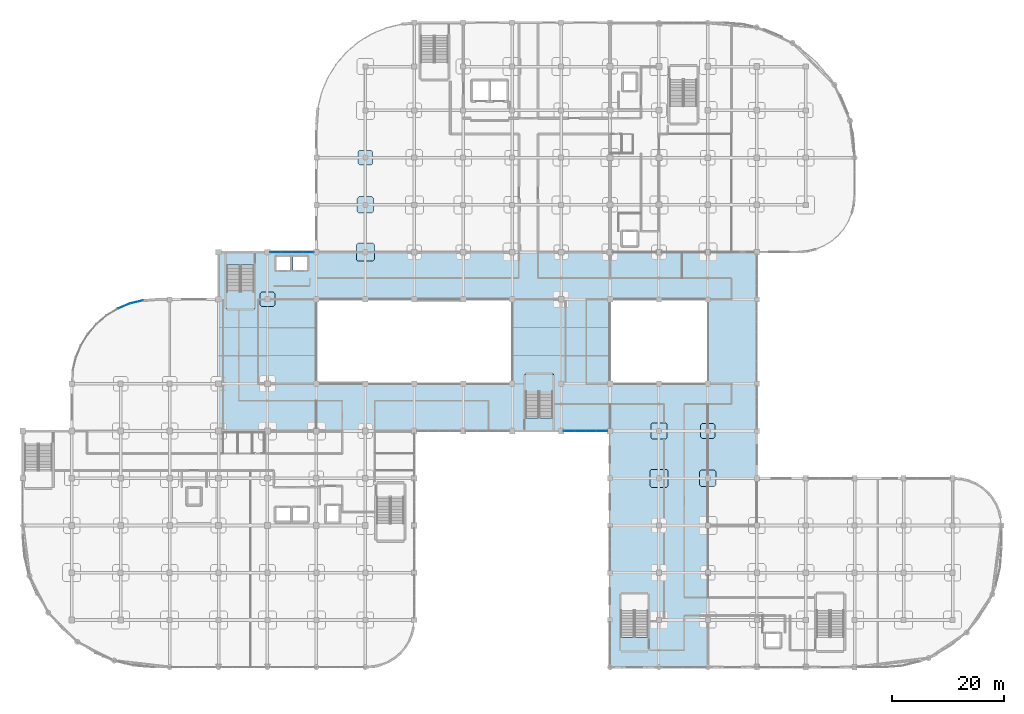
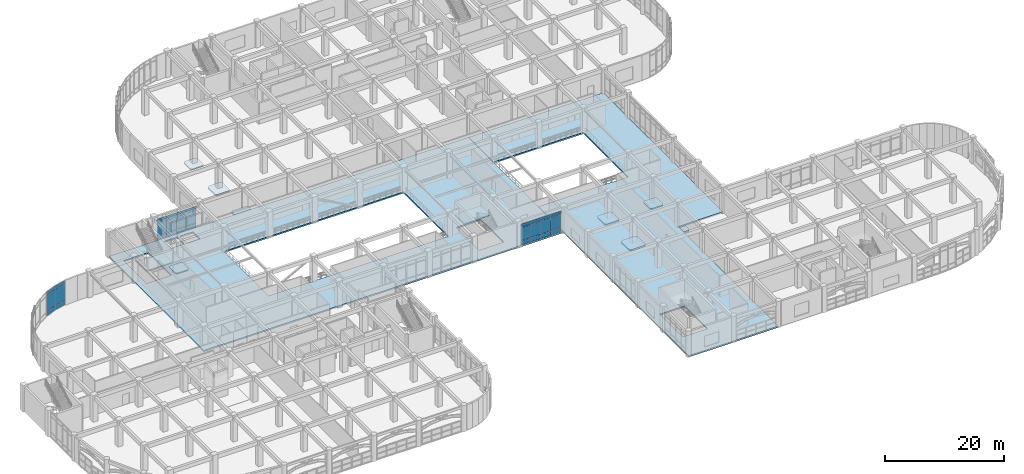
# One storey, part 84 of 114: 32 plates, 12 slabs, 6 elements without a shape of their own.
"""IFC4 building model written with IfcOpenShell, lengths in metres."""

from ifc_helpers import new_model, si_unit, derived_unit, direction, frame, origin, origin_2d, place, context, subcontext, project, spatial, polyline, rectangle, outline, extrude, material, layer, layer_set, type_object, element, aggregate, save


model = new_model("IFC4")

# Units and contexts
model_context = context("Model", 3, precision=1e-05, world=origin(), true_north=direction((0.0, 1.0)))
body_context = subcontext(model_context, "Body", "Model", "MODEL_VIEW")
ifc_project = project(units=[si_unit("LENGTHUNIT", "METRE"), si_unit("AREAUNIT", "SQUARE_METRE"), si_unit("VOLUMEUNIT", "CUBIC_METRE"), si_unit("PLANEANGLEUNIT", "RADIAN"), si_unit("MASSUNIT", "GRAM", prefix="KILO"), derived_unit("THERMALTRANSMITTANCEUNIT", [(si_unit("MASSUNIT", "GRAM", prefix="KILO"), 1), (si_unit("TIMEUNIT", "SECOND"), -3), (si_unit("THERMODYNAMICTEMPERATUREUNIT", "KELVIN"), -1)])], contexts=[model_context])

# Site, building, storey
site_placement = place(None, origin())
site = spatial("IfcSite", under=ifc_project, at=site_placement, CompositionType="ELEMENT")
building_placement = place(site_placement, origin())
building = spatial("IfcBuilding", under=site, at=building_placement, Name="Qinzheling Arcade Emporium", CompositionType="ELEMENT")
storey_placement = place(building_placement, frame((0.0, 0.0, 6.0)))
storey = spatial("IfcBuildingStorey", under=building, at=storey_placement, Name="L02", CompositionType="ELEMENT", Elevation=6.0)

# Slabs
ifc_material_1 = material(Name="Concrete C40", Category="concrete")
ifc_layer_1 = layer(ifc_material_1, 0.235107421875, Name="Concrete C40", Category="concrete")
ifc_layer_set_1 = layer_set([ifc_layer_1], Name="Concrete C40")
slab_type_1 = type_object("IfcSlabType", Name="Column Head Drop Panel 2600x2600x235 C40", PredefinedType="USERDEFINED", material=ifc_layer_set_1)
slab_1_placement = place(storey_placement, frame((0.0, 0.0, -0.514892578125)))
element("IfcSlab", 1, at=slab_1_placement, inside=storey, type_object=slab_type_1, Name="Column Drop Panel DP-L02-15-F", ObjectType="DROP_PANEL", PredefinedType="USERDEFINED", context=body_context, shape_type="SweptSolid", body=[
    extrude(outline(polyline([(120.780029296875, 40.699951171875), (122.820068359375, 40.699951171875), (123.10009765625, 40.97998046875), (123.10009765625, 43.02001953125), (122.820068359375, 43.300048828125), (120.780029296875, 43.300048828125), (120.5, 43.02001953125), (120.5, 40.97998046875), (120.780029296875, 40.699951171875)])), origin(), (0.0, 0.0, 1.0), 0.23486328125),
])
slab_2_placement = place(storey_placement, frame((0.0, 0.0, -0.514892578125)))
element("IfcSlab", 2, at=slab_2_placement, inside=storey, type_object=slab_type_1, Name="Column Drop Panel DP-L02-6-H", ObjectType="DROP_PANEL", PredefinedType="USERDEFINED", context=body_context, shape_type="SweptSolid", body=[
    extrude(outline(polyline([(42.47998046875, 64.10009765625), (44.52001953125, 64.10009765625), (44.800048828125, 64.3798828125), (44.800048828125, 66.419921875), (44.52001953125, 66.699951171875), (42.47998046875, 66.699951171875), (42.199951171875, 66.419921875), (42.199951171875, 64.3798828125), (42.47998046875, 64.10009765625)])), origin(), (0.0, 0.0, 1.0), 0.23486328125),
])
slab_3_placement = place(storey_placement, frame((0.0, 0.0, -0.544921875)))
element("IfcSlab", 3, at=slab_3_placement, inside=storey, type_object=slab_type_1, Name="Column Drop Panel DP-L02-8-L", ObjectType="DROP_PANEL", PredefinedType="USERDEFINED", context=body_context, shape_type="SweptSolid", body=[
    extrude(outline(polyline([(59.8798828125, 89.300048828125), (61.919921875, 89.300048828125), (62.199951171875, 89.580078125), (62.199951171875, 91.6201171875), (61.919921875, 91.89990234375), (59.8798828125, 91.89990234375), (59.60009765625, 91.6201171875), (59.60009765625, 89.580078125), (59.8798828125, 89.300048828125)])), origin(), (0.0, 0.0, 1.0), 0.23486328125),
])
ifc_layer_2 = layer(ifc_material_1, 0.27001953125, Name="Concrete C40", Category="concrete")
ifc_layer_set_2 = layer_set([ifc_layer_2], Name="Concrete C40")
slab_type_2 = type_object("IfcSlabType", Name="Column Head Drop Panel 2900x2900x270 C40", PredefinedType="USERDEFINED", material=ifc_layer_set_2)
slab_4_placement = place(storey_placement, frame((0.0, 0.0, -0.550048828125)))
element("IfcSlab", 4, at=slab_4_placement, inside=storey, type_object=slab_type_2, Name="Column Drop Panel DP-L02-14-F", ObjectType="DROP_PANEL", PredefinedType="USERDEFINED", context=body_context, shape_type="SweptSolid", body=[
    extrude(outline(polyline([(111.929931640625, 40.550048828125), (114.27001953125, 40.550048828125), (114.550048828125, 40.830078125), (114.550048828125, 43.169921875), (114.27001953125, 43.449951171875), (111.929931640625, 43.449951171875), (111.64990234375, 43.169921875), (111.64990234375, 40.830078125), (111.929931640625, 40.550048828125)])), origin(), (0.0, 0.0, 1.0), 0.27001953125),
])
slab_5_placement = place(storey_placement, frame((0.0, 0.0, -0.56494140625)))
element("IfcSlab", 5, at=slab_5_placement, inside=storey, type_object=slab_type_2, Name="Column Drop Panel DP-L02-15-E", ObjectType="DROP_PANEL", PredefinedType="USERDEFINED", context=body_context, shape_type="SweptSolid", body=[
    extrude(outline(polyline([(120.6298828125, 32.14990234375), (122.969970703125, 32.14990234375), (123.25, 32.429931640625), (123.25, 34.77001953125), (122.969970703125, 35.050048828125), (120.6298828125, 35.050048828125), (120.35009765625, 34.77001953125), (120.35009765625, 32.429931640625), (120.6298828125, 32.14990234375)])), origin(), (0.0, 0.0, 1.0), 0.27001953125),
])
slab_6_placement = place(storey_placement, frame((0.0, 0.0, -0.580078125)))
element("IfcSlab", 6, at=slab_6_placement, inside=storey, type_object=slab_type_2, Name="Column Drop Panel DP-L02-8-K", ObjectType="DROP_PANEL", PredefinedType="USERDEFINED", context=body_context, shape_type="SweptSolid", body=[
    extrude(outline(polyline([(59.72998046875, 80.75), (62.070068359375, 80.75), (62.35009765625, 81.030029296875), (62.35009765625, 83.3701171875), (62.070068359375, 83.64990234375), (59.72998046875, 83.64990234375), (59.449951171875, 83.3701171875), (59.449951171875, 81.030029296875), (59.72998046875, 80.75)])), origin(), (0.0, 0.0, 1.0), 0.27001953125),
])
ifc_layer_3 = layer(ifc_material_1, 0.300048828125, Name="Concrete C40", Category="concrete")
ifc_layer_set_3 = layer_set([ifc_layer_3], Name="Concrete C40")
slab_type_3 = type_object("IfcSlabType", Name="Column Head Drop Panel 3200x3200x300 C40", PredefinedType="USERDEFINED", material=ifc_layer_set_3)
slab_7_placement = place(storey_placement, frame((0.0, 0.0, -0.580078125)))
element("IfcSlab", 7, at=slab_7_placement, inside=storey, type_object=slab_type_3, Name="Column Drop Panel DP-L02-14-E", ObjectType="DROP_PANEL", PredefinedType="USERDEFINED", context=body_context, shape_type="SweptSolid", body=[
    extrude(outline(polyline([(111.780029296875, 32.0), (114.419921875, 32.0), (114.699951171875, 32.280029296875), (114.699951171875, 34.919921875), (114.419921875, 35.199951171875), (111.780029296875, 35.199951171875), (111.5, 34.919921875), (111.5, 32.280029296875), (111.780029296875, 32.0)])), origin(), (0.0, 0.0, 1.0), 0.300048828125),
])
slab_8_placement = place(storey_placement, frame((0.0, 0.0, -0.610107421875)))
element("IfcSlab", 8, at=slab_8_placement, inside=storey, type_object=slab_type_3, Name="Column Drop Panel DP-L02-8-J", ObjectType="DROP_PANEL", PredefinedType="USERDEFINED", context=body_context, shape_type="SweptSolid", body=[
    extrude(outline(polyline([(59.580078125, 72.199951171875), (62.219970703125, 72.199951171875), (62.5, 72.47998046875), (62.5, 75.1201171875), (62.219970703125, 75.39990234375), (59.580078125, 75.39990234375), (59.300048828125, 75.1201171875), (59.300048828125, 72.47998046875), (59.580078125, 72.199951171875)])), origin(), (0.0, 0.0, 1.0), 0.300048828125),
])

# Curtain wall, plates
ifc_material_2 = material(Name="Anodised aluminium and solar-control double glazing", Category="aluminium")
ifc_layer_4 = layer(ifc_material_2, 0.159912109375, Name="Anodised aluminium and solar-control double glazing", Category="aluminium")
ifc_layer_set_4 = layer_set([ifc_layer_4], Name="Anodised aluminium and solar-control double glazing")
curtain_wall_type_1 = type_object("IfcCurtainWallType", Name="Curved Ribbon Sales Curtain Wall", PredefinedType="NOTDEFINED", material=ifc_layer_set_4)
curtain_wall_1_placement = place(storey_placement, origin())
curtain_wall_1 = element("IfcCurtainWall", 9, at=curtain_wall_1_placement, inside=storey, type_object=curtain_wall_type_1, Name="Curtain Wall CW-L02-091", PredefinedType="NOTDEFINED")
ifc_material_3 = material(Name="Laminated solar-control double glazing", Category="glass")
ifc_layer_5 = layer(ifc_material_3, 0.035888671875, Name="Laminated solar-control double glazing", Category="glass")
ifc_layer_set_5 = layer_set([ifc_layer_5], Name="Laminated solar-control double glazing")
plate_type_1 = type_object("IfcPlateType", Name="Low-E Double Glazed Curtain Panel 36mm", PredefinedType="CURTAIN_PANEL", material=ifc_layer_set_5)
plate_1_placement = place(storey_placement, frame((17.9775390625, 64.215576171875, 0.06005859375), z_axis=(0.0, 0.0, 1.0), x_axis=(0.923866691535, 0.382714431752, 0.0)))
plate_1 = element("IfcPlate", 10, at=plate_1_placement, type_object=plate_type_1, Name="CW02 panel 1.1", PredefinedType="CURTAIN_PANEL", context=body_context, shape_type="SweptSolid", body=[
    extrude(rectangle(XDim=2.234130859375, YDim=0.035888671875, at=origin_2d()), origin(), (0.0, 0.0, 1.0), 0.860107421875),
])
plate_2_placement = place(storey_placement, frame((17.9775390625, 64.215576171875, 0.97998046875), z_axis=(0.0, 0.0, 1.0), x_axis=(0.923866691535, 0.382714431752, 0.0)))
plate_2 = element("IfcPlate", 11, at=plate_2_placement, type_object=plate_type_1, Name="CW02 panel 1.2", PredefinedType="CURTAIN_PANEL", context=body_context, shape_type="SweptSolid", body=[
    extrude(rectangle(XDim=2.234130859375, YDim=0.035888671875, at=origin_2d()), origin(), (0.0, 0.0, 1.0), 3.22998046875),
])
plate_3_placement = place(storey_placement, frame((17.9775390625, 64.215576171875, 4.27001953125), z_axis=(0.0, 0.0, 1.0), x_axis=(0.923866691535, 0.382714431752, 0.0)))
plate_3 = element("IfcPlate", 12, at=plate_3_placement, type_object=plate_type_1, Name="CW02 panel 1.3", PredefinedType="CURTAIN_PANEL", context=body_context, shape_type="SweptSolid", body=[
    extrude(rectangle(XDim=2.234130859375, YDim=0.035888671875, at=origin_2d()), origin(), (0.0, 0.0, 1.0), 0.760009765625),
])
aggregate(curtain_wall_1, [plate_1, plate_2, plate_3])

curtain_wall_2_placement = place(storey_placement, origin())
curtain_wall_2 = element("IfcCurtainWall", 13, at=curtain_wall_2_placement, inside=storey, type_object=curtain_wall_type_1, Name="Curtain Wall CW-L02-092", PredefinedType="NOTDEFINED")
ifc_layer_6 = layer(ifc_material_3, 0.0380859375, Name="Laminated solar-control double glazing", Category="glass")
ifc_layer_set_6 = layer_set([ifc_layer_6], Name="Laminated solar-control double glazing")
plate_type_2 = type_object("IfcPlateType", Name="Low-E Double Glazed Curtain Panel 38mm", PredefinedType="CURTAIN_PANEL", material=ifc_layer_set_6)
plate_4_placement = place(storey_placement, frame((20.208984375, 64.9404296875, 0.06005859375), z_axis=(0.0, 0.0, 1.0), x_axis=(0.972398874145, 0.233324729854, 0.0)))
plate_4 = element("IfcPlate", 14, at=plate_4_placement, type_object=plate_type_2, Name="CW02 panel 1.1", PredefinedType="CURTAIN_PANEL", context=body_context, shape_type="SweptSolid", body=[
    extrude(rectangle(XDim=2.23291015625, YDim=0.0380859375, at=origin_2d()), origin(), (0.0, 0.0, 1.0), 0.860107421875),
])
plate_5_placement = place(storey_placement, frame((20.208984375, 64.9404296875, 0.97998046875), z_axis=(0.0, 0.0, 1.0), x_axis=(0.972398874145, 0.233324729854, 0.0)))
plate_5 = element("IfcPlate", 15, at=plate_5_placement, type_object=plate_type_2, Name="CW02 panel 1.2", PredefinedType="CURTAIN_PANEL", context=body_context, shape_type="SweptSolid", body=[
    extrude(rectangle(XDim=2.23291015625, YDim=0.0380859375, at=origin_2d()), origin(), (0.0, 0.0, 1.0), 3.22998046875),
])
plate_6_placement = place(storey_placement, frame((20.208984375, 64.9404296875, 4.27001953125), z_axis=(0.0, 0.0, 1.0), x_axis=(0.972398874145, 0.233324729854, 0.0)))
plate_6 = element("IfcPlate", 16, at=plate_6_placement, type_object=plate_type_2, Name="CW02 panel 1.3", PredefinedType="CURTAIN_PANEL", context=body_context, shape_type="SweptSolid", body=[
    extrude(rectangle(XDim=2.23291015625, YDim=0.0380859375, at=origin_2d()), origin(), (0.0, 0.0, 1.0), 0.760009765625),
])
aggregate(curtain_wall_2, [plate_4, plate_5, plate_6])

ifc_layer_7 = layer(ifc_material_2, 0.159912109375, Name="Anodised aluminium and solar-control double glazing", Category="aluminium")
ifc_layer_set_7 = layer_set([ifc_layer_7], Name="Anodised aluminium and solar-control double glazing")
curtain_wall_type_2 = type_object("IfcCurtainWallType", Name="Atrium Clerestory Curtain Wall", PredefinedType="NOTDEFINED", material=ifc_layer_set_7)
curtain_wall_3_placement = place(storey_placement, origin())
curtain_wall_3 = element("IfcCurtainWall", 17, at=curtain_wall_3_placement, inside=storey, type_object=curtain_wall_type_2, Name="Curtain Wall CW-L02-093", PredefinedType="NOTDEFINED")
ifc_layer_8 = layer(ifc_material_3, 0.0400390625, Name="Laminated solar-control double glazing", Category="glass")
ifc_layer_set_8 = layer_set([ifc_layer_8], Name="Laminated solar-control double glazing")
plate_type_3 = type_object("IfcPlateType", Name="Low-E Double Glazed Curtain Panel 40mm", PredefinedType="CURTAIN_PANEL", material=ifc_layer_set_8)
plate_7_placement = place(storey_placement, frame((44.97900390625, 73.800048828125, 0.06005859375), z_axis=(0.0, 0.0, 1.0), x_axis=(1.0, 0.0, 0.0)))
plate_7 = element("IfcPlate", 18, at=plate_7_placement, type_object=plate_type_3, Name="CW03 panel 1.1", PredefinedType="CURTAIN_PANEL", context=body_context, shape_type="SweptSolid", body=[
    extrude(rectangle(XDim=1.833984375, YDim=0.0400390625, at=origin_2d()), origin(), (0.0, 0.0, 1.0), 0.860107421875),
])
plate_8_placement = place(storey_placement, frame((44.97900390625, 73.800048828125, 0.97998046875), z_axis=(0.0, 0.0, 1.0), x_axis=(1.0, 0.0, 0.0)))
plate_8 = element("IfcPlate", 19, at=plate_8_placement, type_object=plate_type_3, Name="CW03 panel 1.2", PredefinedType="CURTAIN_PANEL", context=body_context, shape_type="SweptSolid", body=[
    extrude(rectangle(XDim=1.833984375, YDim=0.0400390625, at=origin_2d()), origin(), (0.0, 0.0, 1.0), 2.594970703125),
])
plate_9_placement = place(storey_placement, frame((44.97900390625, 73.800048828125, 3.634765625), z_axis=(0.0, 0.0, 1.0), x_axis=(1.0, 0.0, 0.0)))
plate_9 = element("IfcPlate", 20, at=plate_9_placement, type_object=plate_type_3, Name="CW03 panel 1.3", PredefinedType="CURTAIN_PANEL", context=body_context, shape_type="SweptSolid", body=[
    extrude(rectangle(XDim=1.833984375, YDim=0.0400390625, at=origin_2d()), origin(), (0.0, 0.0, 1.0), 0.760009765625),
])
plate_10_placement = place(storey_placement, frame((46.887939453125, 73.800048828125, 0.06005859375), z_axis=(0.0, 0.0, 1.0), x_axis=(1.0, 0.0, 0.0)))
plate_10 = element("IfcPlate", 21, at=plate_10_placement, type_object=plate_type_3, Name="CW03 panel 2.1", PredefinedType="CURTAIN_PANEL", context=body_context, shape_type="SweptSolid", body=[
    extrude(rectangle(XDim=1.864013671875, YDim=0.0400390625, at=origin_2d()), origin(), (0.0, 0.0, 1.0), 0.860107421875),
])
plate_11_placement = place(storey_placement, frame((46.887939453125, 73.800048828125, 0.97998046875), z_axis=(0.0, 0.0, 1.0), x_axis=(1.0, 0.0, 0.0)))
plate_11 = element("IfcPlate", 22, at=plate_11_placement, type_object=plate_type_3, Name="CW03 panel 2.2", PredefinedType="CURTAIN_PANEL", context=body_context, shape_type="SweptSolid", body=[
    extrude(rectangle(XDim=1.864013671875, YDim=0.0400390625, at=origin_2d()), origin(), (0.0, 0.0, 1.0), 2.594970703125),
])
plate_12_placement = place(storey_placement, frame((46.887939453125, 73.800048828125, 3.634765625), z_axis=(0.0, 0.0, 1.0), x_axis=(1.0, 0.0, 0.0)))
plate_12 = element("IfcPlate", 23, at=plate_12_placement, type_object=plate_type_3, Name="CW03 panel 2.3", PredefinedType="CURTAIN_PANEL", context=body_context, shape_type="SweptSolid", body=[
    extrude(rectangle(XDim=1.864013671875, YDim=0.0400390625, at=origin_2d()), origin(), (0.0, 0.0, 1.0), 0.760009765625),
])
plate_13_placement = place(storey_placement, frame((48.81201171875, 73.800048828125, 0.06005859375), z_axis=(0.0, 0.0, 1.0), x_axis=(1.0, 0.0, 0.0)))
plate_13 = element("IfcPlate", 24, at=plate_13_placement, type_object=plate_type_3, Name="CW03 panel 3.1", PredefinedType="CURTAIN_PANEL", context=body_context, shape_type="SweptSolid", body=[
    extrude(rectangle(XDim=1.864013671875, YDim=0.0400390625, at=origin_2d()), origin(), (0.0, 0.0, 1.0), 0.860107421875),
])
plate_14_placement = place(storey_placement, frame((48.81201171875, 73.800048828125, 0.97998046875), z_axis=(0.0, 0.0, 1.0), x_axis=(1.0, 0.0, 0.0)))
plate_14 = element("IfcPlate", 25, at=plate_14_placement, type_object=plate_type_3, Name="CW03 panel 3.2", PredefinedType="CURTAIN_PANEL", context=body_context, shape_type="SweptSolid", body=[
    extrude(rectangle(XDim=1.864013671875, YDim=0.0400390625, at=origin_2d()), origin(), (0.0, 0.0, 1.0), 2.594970703125),
])
plate_15_placement = place(storey_placement, frame((48.81201171875, 73.800048828125, 3.634765625), z_axis=(0.0, 0.0, 1.0), x_axis=(1.0, 0.0, 0.0)))
plate_15 = element("IfcPlate", 26, at=plate_15_placement, type_object=plate_type_3, Name="CW03 panel 3.3", PredefinedType="CURTAIN_PANEL", context=body_context, shape_type="SweptSolid", body=[
    extrude(rectangle(XDim=1.864013671875, YDim=0.0400390625, at=origin_2d()), origin(), (0.0, 0.0, 1.0), 0.760009765625),
])
plate_16_placement = place(storey_placement, frame((50.720947265625, 73.800048828125, 0.06005859375), z_axis=(0.0, 0.0, 1.0), x_axis=(1.0, 0.0, 0.0)))
plate_16 = element("IfcPlate", 27, at=plate_16_placement, type_object=plate_type_3, Name="CW03 panel 4.1", PredefinedType="CURTAIN_PANEL", context=body_context, shape_type="SweptSolid", body=[
    extrude(rectangle(XDim=1.833984375, YDim=0.0400390625, at=origin_2d()), origin(), (0.0, 0.0, 1.0), 0.860107421875),
])
plate_17_placement = place(storey_placement, frame((50.720947265625, 73.800048828125, 0.97998046875), z_axis=(0.0, 0.0, 1.0), x_axis=(1.0, 0.0, 0.0)))
plate_17 = element("IfcPlate", 28, at=plate_17_placement, type_object=plate_type_3, Name="CW03 panel 4.2", PredefinedType="CURTAIN_PANEL", context=body_context, shape_type="SweptSolid", body=[
    extrude(rectangle(XDim=1.833984375, YDim=0.0400390625, at=origin_2d()), origin(), (0.0, 0.0, 1.0), 2.594970703125),
])
plate_18_placement = place(storey_placement, frame((50.720947265625, 73.800048828125, 3.634765625), z_axis=(0.0, 0.0, 1.0), x_axis=(1.0, 0.0, 0.0)))
plate_18 = element("IfcPlate", 29, at=plate_18_placement, type_object=plate_type_3, Name="CW03 panel 4.3", PredefinedType="CURTAIN_PANEL", context=body_context, shape_type="SweptSolid", body=[
    extrude(rectangle(XDim=1.833984375, YDim=0.0400390625, at=origin_2d()), origin(), (0.0, 0.0, 1.0), 0.760009765625),
])
aggregate(curtain_wall_3, [plate_7, plate_8, plate_9, plate_10, plate_11, plate_12, plate_13, plate_14, plate_15, plate_16, plate_17, plate_18])

curtain_wall_4_placement = place(storey_placement, origin())
curtain_wall_4 = element("IfcCurtainWall", 30, at=curtain_wall_4_placement, inside=storey, type_object=curtain_wall_type_2, Name="Curtain Wall CW-L02-062", PredefinedType="NOTDEFINED")
ifc_layer_9 = layer(ifc_material_3, 0.0419921875, Name="Laminated solar-control double glazing", Category="glass")
ifc_layer_set_9 = layer_set([ifc_layer_9], Name="Laminated solar-control double glazing")
plate_type_4 = type_object("IfcPlateType", Name="Low-E Double Glazed Curtain Panel 42mm", PredefinedType="CURTAIN_PANEL", material=ifc_layer_set_9)
plate_19_placement = place(storey_placement, frame((102.9208984375, 42.0, 0.06005859375), z_axis=(0.0, 0.0, 1.0), x_axis=(-1.0, 0.0, 0.0)))
plate_19 = element("IfcPlate", 31, at=plate_19_placement, type_object=plate_type_4, Name="CW03 panel 1.1", PredefinedType="CURTAIN_PANEL", context=body_context, shape_type="SweptSolid", body=[
    extrude(rectangle(XDim=1.833984375, YDim=0.0419921875, at=origin_2d()), origin(), (0.0, 0.0, 1.0), 0.860107421875),
])
plate_20_placement = place(storey_placement, frame((102.9208984375, 42.0, 0.97998046875), z_axis=(0.0, 0.0, 1.0), x_axis=(-1.0, 0.0, 0.0)))
plate_20 = element("IfcPlate", 32, at=plate_20_placement, type_object=plate_type_4, Name="CW03 panel 1.2", PredefinedType="CURTAIN_PANEL", context=body_context, shape_type="SweptSolid", body=[
    extrude(rectangle(XDim=1.833984375, YDim=0.0419921875, at=origin_2d()), origin(), (0.0, 0.0, 1.0), 2.594970703125),
])
plate_21_placement = place(storey_placement, frame((102.9208984375, 42.0, 3.634765625), z_axis=(0.0, 0.0, 1.0), x_axis=(-1.0, 0.0, 0.0)))
plate_21 = element("IfcPlate", 33, at=plate_21_placement, type_object=plate_type_4, Name="CW03 panel 1.3", PredefinedType="CURTAIN_PANEL", context=body_context, shape_type="SweptSolid", body=[
    extrude(rectangle(XDim=1.833984375, YDim=0.0419921875, at=origin_2d()), origin(), (0.0, 0.0, 1.0), 0.760009765625),
])
plate_22_placement = place(storey_placement, frame((101.011962890625, 42.0, 0.06005859375), z_axis=(0.0, 0.0, 1.0), x_axis=(-1.0, 0.0, 0.0)))
plate_22 = element("IfcPlate", 34, at=plate_22_placement, type_object=plate_type_4, Name="CW03 panel 2.1", PredefinedType="CURTAIN_PANEL", context=body_context, shape_type="SweptSolid", body=[
    extrude(rectangle(XDim=1.864013671875, YDim=0.0419921875, at=origin_2d()), origin(), (0.0, 0.0, 1.0), 0.860107421875),
])
plate_23_placement = place(storey_placement, frame((101.011962890625, 42.0, 0.97998046875), z_axis=(0.0, 0.0, 1.0), x_axis=(-1.0, 0.0, 0.0)))
plate_23 = element("IfcPlate", 35, at=plate_23_placement, type_object=plate_type_4, Name="CW03 panel 2.2", PredefinedType="CURTAIN_PANEL", context=body_context, shape_type="SweptSolid", body=[
    extrude(rectangle(XDim=1.864013671875, YDim=0.0419921875, at=origin_2d()), origin(), (0.0, 0.0, 1.0), 2.594970703125),
])
plate_24_placement = place(storey_placement, frame((101.011962890625, 42.0, 3.634765625), z_axis=(0.0, 0.0, 1.0), x_axis=(-1.0, 0.0, 0.0)))
plate_24 = element("IfcPlate", 36, at=plate_24_placement, type_object=plate_type_4, Name="CW03 panel 2.3", PredefinedType="CURTAIN_PANEL", context=body_context, shape_type="SweptSolid", body=[
    extrude(rectangle(XDim=1.864013671875, YDim=0.0419921875, at=origin_2d()), origin(), (0.0, 0.0, 1.0), 0.760009765625),
])
plate_25_placement = place(storey_placement, frame((99.087890625, 42.0, 0.06005859375), z_axis=(0.0, 0.0, 1.0), x_axis=(-1.0, 0.0, 0.0)))
plate_25 = element("IfcPlate", 37, at=plate_25_placement, type_object=plate_type_4, Name="CW03 panel 3.1", PredefinedType="CURTAIN_PANEL", context=body_context, shape_type="SweptSolid", body=[
    extrude(rectangle(XDim=1.864013671875, YDim=0.0419921875, at=origin_2d()), origin(), (0.0, 0.0, 1.0), 0.860107421875),
])
plate_26_placement = place(storey_placement, frame((99.087890625, 42.0, 0.97998046875), z_axis=(0.0, 0.0, 1.0), x_axis=(-1.0, 0.0, 0.0)))
plate_26 = element("IfcPlate", 38, at=plate_26_placement, type_object=plate_type_4, Name="CW03 panel 3.2", PredefinedType="CURTAIN_PANEL", context=body_context, shape_type="SweptSolid", body=[
    extrude(rectangle(XDim=1.864013671875, YDim=0.0419921875, at=origin_2d()), origin(), (0.0, 0.0, 1.0), 2.594970703125),
])
plate_27_placement = place(storey_placement, frame((99.087890625, 42.0, 3.634765625), z_axis=(0.0, 0.0, 1.0), x_axis=(-1.0, 0.0, 0.0)))
plate_27 = element("IfcPlate", 39, at=plate_27_placement, type_object=plate_type_4, Name="CW03 panel 3.3", PredefinedType="CURTAIN_PANEL", context=body_context, shape_type="SweptSolid", body=[
    extrude(rectangle(XDim=1.864013671875, YDim=0.0419921875, at=origin_2d()), origin(), (0.0, 0.0, 1.0), 0.760009765625),
])
plate_28_placement = place(storey_placement, frame((97.178955078125, 42.0, 0.06005859375), z_axis=(0.0, 0.0, 1.0), x_axis=(-1.0, 0.0, 0.0)))
plate_28 = element("IfcPlate", 40, at=plate_28_placement, type_object=plate_type_4, Name="CW03 panel 4.1", PredefinedType="CURTAIN_PANEL", context=body_context, shape_type="SweptSolid", body=[
    extrude(rectangle(XDim=1.833984375, YDim=0.0419921875, at=origin_2d()), origin(), (0.0, 0.0, 1.0), 0.860107421875),
])
plate_29_placement = place(storey_placement, frame((97.178955078125, 42.0, 0.97998046875), z_axis=(0.0, 0.0, 1.0), x_axis=(-1.0, 0.0, 0.0)))
plate_29 = element("IfcPlate", 41, at=plate_29_placement, type_object=plate_type_4, Name="CW03 panel 4.2", PredefinedType="CURTAIN_PANEL", context=body_context, shape_type="SweptSolid", body=[
    extrude(rectangle(XDim=1.833984375, YDim=0.0419921875, at=origin_2d()), origin(), (0.0, 0.0, 1.0), 2.594970703125),
])
plate_30_placement = place(storey_placement, frame((97.178955078125, 42.0, 3.634765625), z_axis=(0.0, 0.0, 1.0), x_axis=(-1.0, 0.0, 0.0)))
plate_30 = element("IfcPlate", 42, at=plate_30_placement, type_object=plate_type_4, Name="CW03 panel 4.3", PredefinedType="CURTAIN_PANEL", context=body_context, shape_type="SweptSolid", body=[
    extrude(rectangle(XDim=1.833984375, YDim=0.0419921875, at=origin_2d()), origin(), (0.0, 0.0, 1.0), 0.760009765625),
])
aggregate(curtain_wall_4, [plate_19, plate_20, plate_21, plate_22, plate_23, plate_24, plate_25, plate_26, plate_27, plate_28, plate_29, plate_30])

# Slabs
ifc_layer_10 = layer(ifc_material_1, 0.280029296875, Name="Concrete C40", Category="concrete")
ifc_layer_set_10 = layer_set([ifc_layer_10], Name="Concrete C40")
slab_type_4 = type_object("IfcSlabType", Name="Retail Two-Way Flat Slab 280 C40", PredefinedType="FLOOR", material=ifc_layer_set_10)
slab_9_placement = place(storey_placement, frame((0.0, 0.0, -0.280029296875)))
element("IfcSlab", 43, at=slab_9_placement, inside=storey, type_object=slab_type_4, Name="Floor Slab SLB-L02-V2", PredefinedType="FLOOR", context=body_context, shape_type="SweptSolid", body=[
    extrude(outline(polyline([(34.800048828125, 42.0), (104.39990234375, 42.0), (104.39990234375, 50.39990234375), (104.39990234375, 65.39990234375), (104.39990234375, 73.800048828125), (34.800048828125, 73.800048828125), (34.800048828125, 42.0)]), holes=[polyline([(89.39990234375, 44.324951171875), (89.39990234375, 52.0), (94.18994140625, 52.0), (94.18994140625, 44.324951171875), (89.39990234375, 44.324951171875)]), polyline([(87.0, 50.39990234375), (52.199951171875, 50.39990234375), (52.199951171875, 65.39990234375), (87.0, 65.39990234375), (87.0, 50.39990234375)]), polyline([(48.050048828125, 70.64990234375), (48.050048828125, 72.949951171875), (50.550048828125, 72.949951171875), (50.550048828125, 70.64990234375), (48.050048828125, 70.64990234375)]), polyline([(45.050048828125, 70.64990234375), (45.050048828125, 72.949951171875), (47.550048828125, 72.949951171875), (47.550048828125, 70.64990234375), (45.050048828125, 70.64990234375)]), polyline([(41.090087890625, 63.800048828125), (36.300048828125, 63.800048828125), (36.300048828125, 71.47509765625), (41.090087890625, 71.47509765625), (41.090087890625, 63.800048828125)])]), origin(), (0.0, 0.0, 1.0), 0.280029296875),
])
slab_10_placement = place(storey_placement, frame((0.0, 0.0, -0.280029296875)))
element("IfcSlab", 44, at=slab_10_placement, inside=storey, type_object=slab_type_4, Name="Floor Slab SLB-L02-V3", PredefinedType="FLOOR", context=body_context, shape_type="SweptSolid", body=[
    extrude(outline(polyline([(104.39990234375, 0.0), (121.800048828125, 0.0), (121.800048828125, 33.60009765625), (130.5, 33.60009765625), (130.5, 73.800048828125), (104.39990234375, 73.800048828125), (104.39990234375, 65.39990234375), (121.800048828125, 65.39990234375), (121.800048828125, 50.39990234375), (104.39990234375, 50.39990234375), (104.39990234375, 0.0)]), holes=[polyline([(111.14501953125, 5.324951171875), (106.35498046875, 5.324951171875), (106.35498046875, 13.0), (111.14501953125, 13.0), (111.14501953125, 5.324951171875)])]), origin(), (0.0, 0.0, 1.0), 0.280029296875),
])

# Stair, slab
stair_type = type_object("IfcStairType", Name="Cast-in-Situ Dog-Leg Escape Stair H5400", PredefinedType="HALF_TURN_STAIR", material=ifc_material_1)
stair_1_placement = place(storey_placement, origin())
stair_1 = element("IfcStair", 45, at=stair_1_placement, inside=storey, type_object=stair_type, Name="L02 ST03", PredefinedType="HALF_TURN_STAIR")
ifc_layer_11 = layer(ifc_material_1, 0.199951171875, Name="Concrete C40", Category="concrete")
ifc_layer_set_11 = layer_set([ifc_layer_11], Name="Concrete C40")
slab_type_5 = type_object("IfcSlabType", Name="Stair Half-Turn Landing Slab 200 C40", PredefinedType="LANDING", material=ifc_layer_set_11)
slab_11_placement = place(storey_placement, frame((0.0, 0.0, 2.5)))
slab_11 = element("IfcSlab", 46, at=slab_11_placement, type_object=slab_type_5, Name="ST03 landing 1", PredefinedType="LANDING", context=body_context, shape_type="SweptSolid", body=[
    extrude(outline(polyline([(36.179931640625, 66.840087890625), (41.2099609375, 66.840087890625), (41.2099609375, 63.679931640625), (36.179931640625, 63.679931640625), (36.179931640625, 66.840087890625)])), origin(), (0.0, 0.0, 1.0), 0.199951171875),
])
aggregate(stair_1, [slab_11])

stair_2_placement = place(storey_placement, origin())
stair_2 = element("IfcStair", 47, at=stair_2_placement, inside=storey, type_object=stair_type, Name="L02 ST04", PredefinedType="HALF_TURN_STAIR")
slab_12_placement = place(storey_placement, frame((0.0, 0.0, 2.5)))
slab_12 = element("IfcSlab", 48, at=slab_12_placement, type_object=slab_type_5, Name="ST04 landing 1", PredefinedType="LANDING", context=body_context, shape_type="SweptSolid", body=[
    extrude(outline(polyline([(94.31005859375, 48.9599609375), (89.280029296875, 48.9599609375), (89.280029296875, 52.1201171875), (94.31005859375, 52.1201171875), (94.31005859375, 48.9599609375)])), origin(), (0.0, 0.0, 1.0), 0.199951171875),
])
aggregate(stair_2, [slab_12])

# Plates
ifc_material_4 = material(Name="Perforated anodised aluminium sheet", Category="aluminium")
ifc_layer_12 = layer(ifc_material_4, 0.011962890625, Name="Perforated anodised aluminium sheet", Category="aluminium")
ifc_layer_set_12 = layer_set([ifc_layer_12], Name="Perforated anodised aluminium sheet")
plate_type_5 = type_object("IfcPlateType", Name="Typhoon Storm Louvre Blade 12mm", PredefinedType="SHEET", material=ifc_layer_set_12)
plate_31_placement = place(storey_placement, frame((47.85009765625, 73.800048828125, 3.8798828125), z_axis=(0.0, 0.0, 1.0), x_axis=(1.0, 0.0, 0.0)))
element("IfcPlate", 49, at=plate_31_placement, inside=storey, type_object=plate_type_5, Name="Storm Louvre PLT-SLV-L02-016", PredefinedType="SHEET", context=body_context, shape_type="SweptSolid", body=[
    extrude(rectangle(XDim=7.72607421875, YDim=0.011962890625, at=origin_2d()), origin(), (0.0, 0.0, 1.0), 0.449951171875),
])
ifc_layer_13 = layer(ifc_material_4, 0.014892578125, Name="Perforated anodised aluminium sheet", Category="aluminium")
ifc_layer_set_13 = layer_set([ifc_layer_13], Name="Perforated anodised aluminium sheet")
plate_type_6 = type_object("IfcPlateType", Name="Typhoon Storm Louvre Blade 15mm", PredefinedType="SHEET", material=ifc_layer_set_13)
plate_32_placement = place(storey_placement, frame((100.050048828125, 42.0, 3.8798828125), z_axis=(0.0, 0.0, 1.0), x_axis=(-1.0, 0.0, 0.0)))
element("IfcPlate", 50, at=plate_32_placement, inside=storey, type_object=plate_type_6, Name="Storm Louvre PLT-SLV-L02-005", PredefinedType="SHEET", context=body_context, shape_type="SweptSolid", body=[
    extrude(rectangle(XDim=7.72607421875, YDim=0.014892578125, at=origin_2d()), origin(), (0.0, 0.0, 1.0), 0.449951171875),
])

save(model, "model.ifc")
